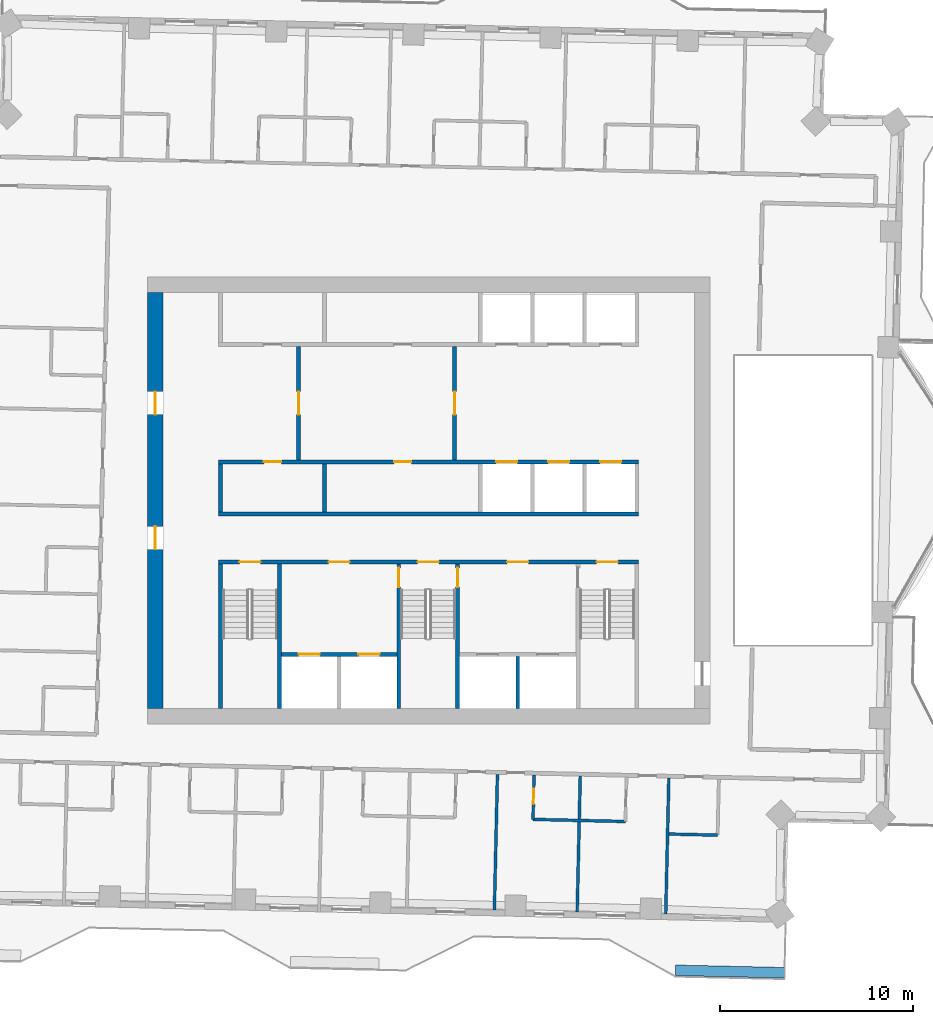
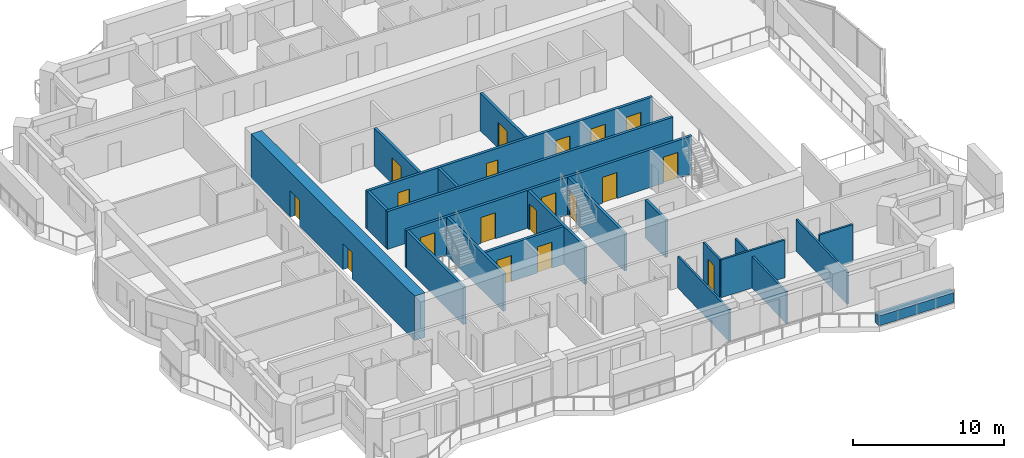
# One storey, part 8 of 16: 21 walls, 19 doors, 19 openings.
"""IFC4 building model written with IfcOpenShell, lengths in metres."""

from ifc_helpers import new_model, si_unit, direction, frame, frame_2d, origin, place, context, subcontext, project, spatial, rectangle, extrude, material, layer, layer_set, type_object, element, fill, save


model = new_model("IFC4")

# Units and contexts
model_context = context("Model", 3, precision=1e-05, world=origin(), true_north=direction((0.0, 1.0)))
body_context = subcontext(model_context, "Body", "Model", "MODEL_VIEW")
ifc_project = project(units=[si_unit("LENGTHUNIT", "METRE"), si_unit("AREAUNIT", "SQUARE_METRE"), si_unit("VOLUMEUNIT", "CUBIC_METRE"), si_unit("PLANEANGLEUNIT", "RADIAN"), si_unit("MASSUNIT", "GRAM", prefix="KILO")], contexts=[model_context])

# Site, building, storey
site_placement = place(None, origin())
site = spatial("IfcSite", under=ifc_project, at=site_placement, CompositionType="ELEMENT")
building_placement = place(site_placement, origin())
building = spatial("IfcBuilding", under=site, at=building_placement, Name="Mangrove Gate Tower", CompositionType="ELEMENT")
storey_placement = place(building_placement, frame((0.0, 0.0, 215.89990234375)))
storey = spatial("IfcBuildingStorey", under=building, at=storey_placement, Name="L55", CompositionType="ELEMENT", Elevation=215.89990234375)

# Wall, opening, door
ifc_material_1 = material(Name="Concrete C32/40", Category="concrete")
ifc_layer_1 = layer(ifc_material_1, 0.199951171875)
ifc_layer_set_1 = layer_set([ifc_layer_1], Name="Core lobby wall 200 C32/40")
wall_type_1 = type_object("IfcWallType", Name="Core lobby wall 200 C32/40", PredefinedType="STANDARD", material=ifc_layer_set_1)
wall_1_placement = place(storey_placement, frame((-6.75, 2.10009765625, 0.0), z_axis=(0.0, 0.0, 1.0), x_axis=(0.0, 1.0, 0.0)))
wall_1 = element("IfcWall", 1, at=wall_1_placement, inside=storey, type_object=wall_type_1, Name="WALL-L55-CORE-31", PredefinedType="STANDARD", context=body_context, shape_type="SweptSolid", body=[
    extrude(rectangle(XDim=5.89990234375, YDim=0.199951171875, at=frame_2d((2.949951171875, 0.0))), origin(), (0.0, 0.0, 1.0), 3.050048828125),
])
opening_1_placement = place(wall_1_placement, frame((2.35009765625, 0.0, 0.0)))
opening_1 = element("IfcOpeningElement", 2, at=opening_1_placement, cuts=wall_1, Name="Opening FL12", PredefinedType="OPENING", context=body_context, shape_type="SweptSolid", body=[
    extrude(rectangle(XDim=1.199951171875, YDim=2.10009765625, at=frame_2d((0.60009765625, 1.050048828125))), frame((0.0, 0.10986328125, 0.0), z_axis=(0.0, -1.0, 0.0), x_axis=(1.0, 0.0, 0.0)), (0.0, 0.0, 1.0), 0.219970703125),
])
ifc_material_2 = material(Name="Fire-rated steel door set", Category="steel")
door_type_1 = type_object("IfcDoorType", Name="Lobby door FD60 1200x2100", OperationType="SINGLE_SWING_LEFT", PredefinedType="DOOR", material=ifc_material_2)
door_1_placement = place(opening_1_placement, origin())
door_1 = element("IfcDoor", 3, at=door_1_placement, inside=storey, type_object=door_type_1, Name="Lobby door lift lobby partition", OperationType="SINGLE_SWING_LEFT", OverallHeight=2.10009765625, OverallWidth=1.199951171875, PredefinedType="DOOR", context=body_context, shape_type="SweptSolid", body=[
    extrude(rectangle(XDim=1.199951171875, YDim=2.10009765625, at=frame_2d((0.60009765625, 1.050048828125))), frame((0.0, 0.02490234375, 0.0), z_axis=(0.0, -1.0, 0.0), x_axis=(1.0, 0.0, 0.0)), (0.0, 0.0, 1.0), 0.050048828125),
])
fill(opening_1, door_1)

wall_2_placement = place(storey_placement, frame((1.35009765625, 2.10009765625, 0.0), z_axis=(0.0, 0.0, 1.0), x_axis=(0.0, 1.0, 0.0)))
wall_2 = element("IfcWall", 4, at=wall_2_placement, inside=storey, type_object=wall_type_1, Name="WALL-L55-CORE-32", PredefinedType="STANDARD", context=body_context, shape_type="SweptSolid", body=[
    extrude(rectangle(XDim=5.89990234375, YDim=0.199951171875, at=frame_2d((2.949951171875, 0.0))), origin(), (0.0, 0.0, 1.0), 3.050048828125),
])
opening_2_placement = place(wall_2_placement, frame((2.35009765625, 0.0, 0.0)))
opening_2 = element("IfcOpeningElement", 5, at=opening_2_placement, cuts=wall_2, Name="Opening FL12", PredefinedType="OPENING", context=body_context, shape_type="SweptSolid", body=[
    extrude(rectangle(XDim=1.199951171875, YDim=2.10009765625, at=frame_2d((0.60009765625, 1.050048828125))), frame((0.0, 0.10986328125, 0.0), z_axis=(0.0, -1.0, 0.0), x_axis=(1.0, 0.0, 0.0)), (0.0, 0.0, 1.0), 0.219970703125),
])
door_2_placement = place(opening_2_placement, origin())
door_2 = element("IfcDoor", 6, at=door_2_placement, inside=storey, type_object=door_type_1, Name="Lobby door lift lobby partition", OperationType="SINGLE_SWING_LEFT", OverallHeight=2.10009765625, OverallWidth=1.199951171875, PredefinedType="DOOR", context=body_context, shape_type="SweptSolid", body=[
    extrude(rectangle(XDim=1.199951171875, YDim=2.10009765625, at=frame_2d((0.60009765625, 1.050048828125))), frame((0.0, 0.02490234375, 0.0), z_axis=(0.0, -1.0, 0.0), x_axis=(1.0, 0.0, 0.0)), (0.0, 0.0, 1.0), 0.050048828125),
])
fill(opening_2, door_2)

# Walls
ifc_material_3 = material(Name="Concrete C32/40", Category="concrete")
ifc_layer_2 = layer(ifc_material_3, 0.199951171875)
ifc_layer_set_2 = layer_set([ifc_layer_2], Name="Core room wall 200 C32/40")
wall_type_2 = type_object("IfcWallType", Name="Core room wall 200 C32/40", PredefinedType="STANDARD", material=ifc_layer_set_2)
for number, where, z_axis, x_axis, name in (
    (7, (-10.800048828125, -0.60009765625, 0.0), (0.0, 0.0, 1.0), (0.0, 1.0, 0.0), "WALL-L55-CORE-19"),
    (8, (-5.39990234375, -0.60009765625, 0.0), (0.0, 0.0, 1.0), (0.0, 1.0, 0.0), "WALL-L55-CORE-20"),
):
    element("IfcWall", number, at=place(storey_placement, frame(where, z_axis=z_axis, x_axis=x_axis)), inside=storey, type_object=wall_type_2, Name=name, PredefinedType="STANDARD", context=body_context, shape_type="SweptSolid", body=[
        extrude(rectangle(XDim=2.5, YDim=0.199951171875, at=frame_2d((1.25, 0.0))), origin(), (0.0, 0.0, 1.0), 3.050048828125),
    ])
ifc_material_4 = material(Name="Concrete C60/75", Category="concrete")
ifc_layer_3 = layer(ifc_material_4, 0.199951171875)
ifc_layer_set_3 = layer_set([ifc_layer_3], Name="Core shaft wall 200 C60/75")
wall_type_3 = type_object("IfcWallType", Name="Core shaft wall 200 C60/75", PredefinedType="SHEAR", material=ifc_layer_set_3)
wall_3_placement = place(storey_placement, frame((-10.89990234375, -0.699951171875, 0.0), z_axis=(0.0, 0.0, 1.0), x_axis=(1.0, 0.0, 0.0)))
element("IfcWall", 9, at=wall_3_placement, inside=storey, type_object=wall_type_3, Name="WALL-L55-CORE-6", PredefinedType="SHEAR", context=body_context, shape_type="SweptSolid", body=[
    extrude(rectangle(XDim=21.7998046875, YDim=0.199951171875, at=frame_2d((10.89990234375, 0.0))), origin(), (0.0, 0.0, 1.0), 3.050048828125),
])

# Wall, openings, doors
wall_4_placement = place(storey_placement, frame((-10.89990234375, 2.0, 0.0), z_axis=(0.0, 0.0, 1.0), x_axis=(1.0, 0.0, 0.0)))
wall_4 = element("IfcWall", 10, at=wall_4_placement, inside=storey, type_object=wall_type_3, Name="WALL-L55-CORE-7", PredefinedType="SHEAR", context=body_context, shape_type="SweptSolid", body=[
    extrude(rectangle(XDim=21.7998046875, YDim=0.199951171875, at=frame_2d((10.89990234375, 0.0))), origin(), (0.0, 0.0, 1.0), 3.050048828125),
])
opening_3_placement = place(wall_4_placement, frame((14.39990234375, 0.0, 0.0)))
opening_3 = element("IfcOpeningElement", 11, at=opening_3_placement, cuts=wall_4, Name="Opening LD", PredefinedType="OPENING", context=body_context, shape_type="SweptSolid", body=[
    extrude(rectangle(XDim=1.10009765625, YDim=2.10009765625, at=frame_2d((0.550048828125, 1.050048828125))), frame((0.0, 0.10986328125, 0.0), z_axis=(0.0, -1.0, 0.0), x_axis=(1.0, 0.0, 0.0)), (0.0, 0.0, 1.0), 0.219970703125),
])
opening_4_placement = place(wall_4_placement, frame((17.10009765625, 0.0, 0.0)))
opening_4 = element("IfcOpeningElement", 12, at=opening_4_placement, cuts=wall_4, Name="Opening LD", PredefinedType="OPENING", context=body_context, shape_type="SweptSolid", body=[
    extrude(rectangle(XDim=1.10009765625, YDim=2.10009765625, at=frame_2d((0.550048828125, 1.050048828125))), frame((0.0, 0.10986328125, 0.0), z_axis=(0.0, -1.0, 0.0), x_axis=(1.0, 0.0, 0.0)), (0.0, 0.0, 1.0), 0.219970703125),
])
opening_5_placement = place(wall_4_placement, frame((19.800048828125, 0.0, 0.0)))
opening_5 = element("IfcOpeningElement", 13, at=opening_5_placement, cuts=wall_4, Name="Opening LD", PredefinedType="OPENING", context=body_context, shape_type="SweptSolid", body=[
    extrude(rectangle(XDim=1.10009765625, YDim=2.10009765625, at=frame_2d((0.550048828125, 1.050048828125))), frame((0.0, 0.10986328125, 0.0), z_axis=(0.0, -1.0, 0.0), x_axis=(1.0, 0.0, 0.0)), (0.0, 0.0, 1.0), 0.219970703125),
])
opening_6_placement = place(wall_4_placement, frame((2.35009765625, 0.0, 0.0)))
opening_6 = element("IfcOpeningElement", 14, at=opening_6_placement, cuts=wall_4, Name="Opening RD", PredefinedType="OPENING", context=body_context, shape_type="SweptSolid", body=[
    extrude(rectangle(XDim=0.89990234375, YDim=2.10009765625, at=frame_2d((0.449951171875, 1.050048828125))), frame((0.0, 0.10986328125, 0.0), z_axis=(0.0, -1.0, 0.0), x_axis=(1.0, 0.0, 0.0)), (0.0, 0.0, 1.0), 0.219970703125),
])
opening_7_placement = place(wall_4_placement, frame((9.10009765625, 0.0, 0.0)))
opening_7 = element("IfcOpeningElement", 15, at=opening_7_placement, cuts=wall_4, Name="Opening RD", PredefinedType="OPENING", context=body_context, shape_type="SweptSolid", body=[
    extrude(rectangle(XDim=0.89990234375, YDim=2.10009765625, at=frame_2d((0.449951171875, 1.050048828125))), frame((0.0, 0.10986328125, 0.0), z_axis=(0.0, -1.0, 0.0), x_axis=(1.0, 0.0, 0.0)), (0.0, 0.0, 1.0), 0.219970703125),
])
ifc_material_5 = material(Name="Stainless steel 316", Category="steel")
door_type_2 = type_object("IfcDoorType", Name="Lift landing door 1100x2100", OperationType="SLIDING_TO_LEFT", PredefinedType="DOOR", material=ifc_material_5)
door_3_placement = place(opening_3_placement, origin())
door_3 = element("IfcDoor", 16, at=door_3_placement, inside=storey, type_object=door_type_2, Name="Landing door LD M01", OperationType="SLIDING_TO_LEFT", OverallHeight=2.10009765625, OverallWidth=1.10009765625, PredefinedType="DOOR", context=body_context, shape_type="SweptSolid", body=[
    extrude(rectangle(XDim=1.10009765625, YDim=2.10009765625, at=frame_2d((0.550048828125, 1.050048828125))), frame((0.0, 0.02490234375, 0.0), z_axis=(0.0, -1.0, 0.0), x_axis=(1.0, 0.0, 0.0)), (0.0, 0.0, 1.0), 0.050048828125),
])
fill(opening_3, door_3)
door_4_placement = place(opening_4_placement, origin())
door_4 = element("IfcDoor", 17, at=door_4_placement, inside=storey, type_object=door_type_2, Name="Landing door LD M02", OperationType="SLIDING_TO_LEFT", OverallHeight=2.10009765625, OverallWidth=1.10009765625, PredefinedType="DOOR", context=body_context, shape_type="SweptSolid", body=[
    extrude(rectangle(XDim=1.10009765625, YDim=2.10009765625, at=frame_2d((0.550048828125, 1.050048828125))), frame((0.0, 0.02490234375, 0.0), z_axis=(0.0, -1.0, 0.0), x_axis=(1.0, 0.0, 0.0)), (0.0, 0.0, 1.0), 0.050048828125),
])
fill(opening_4, door_4)
door_5_placement = place(opening_5_placement, origin())
door_5 = element("IfcDoor", 18, at=door_5_placement, inside=storey, type_object=door_type_2, Name="Landing door LD M03", OperationType="SLIDING_TO_LEFT", OverallHeight=2.10009765625, OverallWidth=1.10009765625, PredefinedType="DOOR", context=body_context, shape_type="SweptSolid", body=[
    extrude(rectangle(XDim=1.10009765625, YDim=2.10009765625, at=frame_2d((0.550048828125, 1.050048828125))), frame((0.0, 0.02490234375, 0.0), z_axis=(0.0, -1.0, 0.0), x_axis=(1.0, 0.0, 0.0)), (0.0, 0.0, 1.0), 0.050048828125),
])
fill(opening_5, door_5)
ifc_material_6 = material(Name="Fire-rated steel door set", Category="steel")
door_type_3 = type_object("IfcDoorType", Name="Riser door FD30S 900x2100", OperationType="SINGLE_SWING_LEFT", PredefinedType="DOOR", material=ifc_material_6)
door_6_placement = place(opening_6_placement, origin())
door_6 = element("IfcDoor", 19, at=door_6_placement, inside=storey, type_object=door_type_3, Name="Riser door Switch room", OperationType="SINGLE_SWING_LEFT", OverallHeight=2.10009765625, OverallWidth=0.89990234375, PredefinedType="DOOR", context=body_context, shape_type="SweptSolid", body=[
    extrude(rectangle(XDim=0.89990234375, YDim=2.10009765625, at=frame_2d((0.449951171875, 1.050048828125))), frame((0.0, 0.02490234375, 0.0), z_axis=(0.0, -1.0, 0.0), x_axis=(1.0, 0.0, 0.0)), (0.0, 0.0, 1.0), 0.050048828125),
])
fill(opening_6, door_6)
door_7_placement = place(opening_7_placement, origin())
door_7 = element("IfcDoor", 20, at=door_7_placement, inside=storey, type_object=door_type_3, Name="Riser door Comms room", OperationType="SINGLE_SWING_LEFT", OverallHeight=2.10009765625, OverallWidth=0.89990234375, PredefinedType="DOOR", context=body_context, shape_type="SweptSolid", body=[
    extrude(rectangle(XDim=0.89990234375, YDim=2.10009765625, at=frame_2d((0.449951171875, 1.050048828125))), frame((0.0, 0.02490234375, 0.0), z_axis=(0.0, -1.0, 0.0), x_axis=(1.0, 0.0, 0.0)), (0.0, 0.0, 1.0), 0.050048828125),
])
fill(opening_7, door_7)

wall_5_placement = place(storey_placement, frame((-7.64990234375, -8.0, 0.0), z_axis=(0.0, 0.0, 1.0), x_axis=(1.0, 0.0, 0.0)))
wall_5 = element("IfcWall", 21, at=wall_5_placement, inside=storey, type_object=wall_type_3, Name="WALL-L55-CORE-15", PredefinedType="SHEAR", context=body_context, shape_type="SweptSolid", body=[
    extrude(rectangle(XDim=6.0, YDim=0.199951171875, at=frame_2d((3.0, 0.0))), origin(), (0.0, 0.0, 1.0), 3.050048828125),
])
opening_8_placement = place(wall_5_placement, frame((0.89990234375, 0.0, 0.0)))
opening_8 = element("IfcOpeningElement", 22, at=opening_8_placement, cuts=wall_5, Name="Opening LD", PredefinedType="OPENING", context=body_context, shape_type="SweptSolid", body=[
    extrude(rectangle(XDim=1.10009765625, YDim=2.10009765625, at=frame_2d((0.550048828125, 1.050048828125))), frame((0.0, 0.10986328125, 0.0), z_axis=(0.0, -1.0, 0.0), x_axis=(1.0, 0.0, 0.0)), (0.0, 0.0, 1.0), 0.219970703125),
])
opening_9_placement = place(wall_5_placement, frame((4.0, 0.0, 0.0)))
opening_9 = element("IfcOpeningElement", 23, at=opening_9_placement, cuts=wall_5, Name="Opening LD", PredefinedType="OPENING", context=body_context, shape_type="SweptSolid", body=[
    extrude(rectangle(XDim=1.10009765625, YDim=2.10009765625, at=frame_2d((0.550048828125, 1.050048828125))), frame((0.0, 0.10986328125, 0.0), z_axis=(0.0, -1.0, 0.0), x_axis=(1.0, 0.0, 0.0)), (0.0, 0.0, 1.0), 0.219970703125),
])
door_8_placement = place(opening_8_placement, origin())
door_8 = element("IfcDoor", 24, at=door_8_placement, inside=storey, type_object=door_type_2, Name="Landing door LD SVL1", OperationType="SLIDING_TO_LEFT", OverallHeight=2.10009765625, OverallWidth=1.10009765625, PredefinedType="DOOR", context=body_context, shape_type="SweptSolid", body=[
    extrude(rectangle(XDim=1.10009765625, YDim=2.10009765625, at=frame_2d((0.550048828125, 1.050048828125))), frame((0.0, 0.02490234375, 0.0), z_axis=(0.0, -1.0, 0.0), x_axis=(1.0, 0.0, 0.0)), (0.0, 0.0, 1.0), 0.050048828125),
])
fill(opening_8, door_8)
door_9_placement = place(opening_9_placement, origin())
door_9 = element("IfcDoor", 25, at=door_9_placement, inside=storey, type_object=door_type_2, Name="Landing door LD SVL2", OperationType="SLIDING_TO_LEFT", OverallHeight=2.10009765625, OverallWidth=1.10009765625, PredefinedType="DOOR", context=body_context, shape_type="SweptSolid", body=[
    extrude(rectangle(XDim=1.10009765625, YDim=2.10009765625, at=frame_2d((0.550048828125, 1.050048828125))), frame((0.0, 0.02490234375, 0.0), z_axis=(0.0, -1.0, 0.0), x_axis=(1.0, 0.0, 0.0)), (0.0, 0.0, 1.0), 0.050048828125),
])
fill(opening_9, door_9)

# Wall
wall_6_placement = place(storey_placement, frame((4.625, -10.800048828125, 0.0), z_axis=(0.0, 0.0, 1.0), x_axis=(0.0, 1.0, 0.0)))
element("IfcWall", 26, at=wall_6_placement, inside=storey, type_object=wall_type_3, Name="WALL-L55-CORE-18", PredefinedType="SHEAR", context=body_context, shape_type="SweptSolid", body=[
    extrude(rectangle(XDim=2.699951171875, YDim=0.199951171875, at=frame_2d((1.35009765625, 0.0))), origin(), (0.0, 0.0, 1.0), 3.050048828125),
])

# Wall, openings, doors
ifc_material_7 = material(Name="Concrete C60/75", Category="concrete")
ifc_layer_4 = layer(ifc_material_7, 0.199951171875)
ifc_layer_set_4 = layer_set([ifc_layer_4], Name="Core stair wall 200 C60/75")
wall_type_4 = type_object("IfcWallType", Name="Core stair wall 200 C60/75", PredefinedType="SHEAR", material=ifc_layer_set_4)
wall_7_placement = place(storey_placement, frame((-10.89990234375, -3.199951171875, 0.0), z_axis=(0.0, 0.0, 1.0), x_axis=(1.0, 0.0, 0.0)))
wall_7 = element("IfcWall", 27, at=wall_7_placement, inside=storey, type_object=wall_type_4, Name="WALL-L55-CORE-5", PredefinedType="SHEAR", context=body_context, shape_type="SweptSolid", body=[
    extrude(rectangle(XDim=21.7998046875, YDim=0.199951171875, at=frame_2d((10.89990234375, 0.0))), origin(), (0.0, 0.0, 1.0), 3.050048828125),
])
opening_10_placement = place(wall_7_placement, frame((1.074951171875, 0.0, 0.0)))
opening_10 = element("IfcOpeningElement", 28, at=opening_10_placement, cuts=wall_7, Name="Opening STD11", PredefinedType="OPENING", context=body_context, shape_type="SweptSolid", body=[
    extrude(rectangle(XDim=1.10009765625, YDim=2.10009765625, at=frame_2d((0.550048828125, 1.050048828125))), frame((0.0, 0.10986328125, 0.0), z_axis=(0.0, -1.0, 0.0), x_axis=(1.0, 0.0, 0.0)), (0.0, 0.0, 1.0), 0.219970703125),
])
opening_11_placement = place(wall_7_placement, frame((10.324951171875, 0.0, 0.0)))
opening_11 = element("IfcOpeningElement", 29, at=opening_11_placement, cuts=wall_7, Name="Opening STD11", PredefinedType="OPENING", context=body_context, shape_type="SweptSolid", body=[
    extrude(rectangle(XDim=1.10009765625, YDim=2.10009765625, at=frame_2d((0.550048828125, 1.050048828125))), frame((0.0, 0.10986328125, 0.0), z_axis=(0.0, -1.0, 0.0), x_axis=(1.0, 0.0, 0.0)), (0.0, 0.0, 1.0), 0.219970703125),
])
opening_12_placement = place(wall_7_placement, frame((19.625, 0.0, 0.0)))
opening_12 = element("IfcOpeningElement", 30, at=opening_12_placement, cuts=wall_7, Name="Opening STD11", PredefinedType="OPENING", context=body_context, shape_type="SweptSolid", body=[
    extrude(rectangle(XDim=1.10009765625, YDim=2.10009765625, at=frame_2d((0.550048828125, 1.050048828125))), frame((0.0, 0.10986328125, 0.0), z_axis=(0.0, -1.0, 0.0), x_axis=(1.0, 0.0, 0.0)), (0.0, 0.0, 1.0), 0.219970703125),
])
opening_13_placement = place(wall_7_placement, frame((5.699951171875, 0.0, 0.0)))
opening_13 = element("IfcOpeningElement", 31, at=opening_13_placement, cuts=wall_7, Name="Opening FL", PredefinedType="OPENING", context=body_context, shape_type="SweptSolid", body=[
    extrude(rectangle(XDim=1.10009765625, YDim=2.10009765625, at=frame_2d((0.550048828125, 1.050048828125))), frame((0.0, 0.10986328125, 0.0), z_axis=(0.0, -1.0, 0.0), x_axis=(1.0, 0.0, 0.0)), (0.0, 0.0, 1.0), 0.219970703125),
])
opening_14_placement = place(wall_7_placement, frame((14.97509765625, 0.0, 0.0)))
opening_14 = element("IfcOpeningElement", 32, at=opening_14_placement, cuts=wall_7, Name="Opening FL", PredefinedType="OPENING", context=body_context, shape_type="SweptSolid", body=[
    extrude(rectangle(XDim=1.10009765625, YDim=2.10009765625, at=frame_2d((0.550048828125, 1.050048828125))), frame((0.0, 0.10986328125, 0.0), z_axis=(0.0, -1.0, 0.0), x_axis=(1.0, 0.0, 0.0)), (0.0, 0.0, 1.0), 0.219970703125),
])
ifc_material_8 = material(Name="Fire-rated steel door set", Category="steel")
door_type_4 = type_object("IfcDoorType", Name="Lobby door FD60 1100x2100", OperationType="SINGLE_SWING_LEFT", PredefinedType="DOOR", material=ifc_material_8)
door_10_placement = place(opening_13_placement, origin())
door_10 = element("IfcDoor", 33, at=door_10_placement, inside=storey, type_object=door_type_4, Name="Lobby door service lobby", OperationType="SINGLE_SWING_LEFT", OverallHeight=2.10009765625, OverallWidth=1.10009765625, PredefinedType="DOOR", context=body_context, shape_type="SweptSolid", body=[
    extrude(rectangle(XDim=1.10009765625, YDim=2.10009765625, at=frame_2d((0.550048828125, 1.050048828125))), frame((0.0, 0.02490234375, 0.0), z_axis=(0.0, -1.0, 0.0), x_axis=(1.0, 0.0, 0.0)), (0.0, 0.0, 1.0), 0.050048828125),
])
fill(opening_13, door_10)
door_11_placement = place(opening_14_placement, origin())
door_11 = element("IfcDoor", 34, at=door_11_placement, inside=storey, type_object=door_type_4, Name="Lobby door fire-fighting lobby", OperationType="SINGLE_SWING_LEFT", OverallHeight=2.10009765625, OverallWidth=1.10009765625, PredefinedType="DOOR", context=body_context, shape_type="SweptSolid", body=[
    extrude(rectangle(XDim=1.10009765625, YDim=2.10009765625, at=frame_2d((0.550048828125, 1.050048828125))), frame((0.0, 0.02490234375, 0.0), z_axis=(0.0, -1.0, 0.0), x_axis=(1.0, 0.0, 0.0)), (0.0, 0.0, 1.0), 0.050048828125),
])
fill(opening_14, door_11)
ifc_material_9 = material(Name="Fire-rated steel door set", Category="steel")
door_type_5 = type_object("IfcDoorType", Name="Stair door FD60 1100x2100", OperationType="SINGLE_SWING_RIGHT", PredefinedType="DOOR", material=ifc_material_9)
door_12_placement = place(opening_10_placement, origin())
door_12 = element("IfcDoor", 35, at=door_12_placement, inside=storey, type_object=door_type_5, Name="Stair door Stair 1", OperationType="SINGLE_SWING_RIGHT", OverallHeight=2.10009765625, OverallWidth=1.10009765625, PredefinedType="DOOR", context=body_context, shape_type="SweptSolid", body=[
    extrude(rectangle(XDim=1.10009765625, YDim=2.10009765625, at=frame_2d((0.550048828125, 1.050048828125))), frame((0.0, 0.02490234375, 0.0), z_axis=(0.0, -1.0, 0.0), x_axis=(1.0, 0.0, 0.0)), (0.0, 0.0, 1.0), 0.050048828125),
])
fill(opening_10, door_12)
door_13_placement = place(opening_11_placement, origin())
door_13 = element("IfcDoor", 36, at=door_13_placement, inside=storey, type_object=door_type_5, Name="Stair door Stair 2", OperationType="SINGLE_SWING_RIGHT", OverallHeight=2.10009765625, OverallWidth=1.10009765625, PredefinedType="DOOR", context=body_context, shape_type="SweptSolid", body=[
    extrude(rectangle(XDim=1.10009765625, YDim=2.10009765625, at=frame_2d((0.550048828125, 1.050048828125))), frame((0.0, 0.02490234375, 0.0), z_axis=(0.0, -1.0, 0.0), x_axis=(1.0, 0.0, 0.0)), (0.0, 0.0, 1.0), 0.050048828125),
])
fill(opening_11, door_13)
door_14_placement = place(opening_12_placement, origin())
door_14 = element("IfcDoor", 37, at=door_14_placement, inside=storey, type_object=door_type_5, Name="Stair door Stair 3", OperationType="SINGLE_SWING_RIGHT", OverallHeight=2.10009765625, OverallWidth=1.10009765625, PredefinedType="DOOR", context=body_context, shape_type="SweptSolid", body=[
    extrude(rectangle(XDim=1.10009765625, YDim=2.10009765625, at=frame_2d((0.550048828125, 1.050048828125))), frame((0.0, 0.02490234375, 0.0), z_axis=(0.0, -1.0, 0.0), x_axis=(1.0, 0.0, 0.0)), (0.0, 0.0, 1.0), 0.050048828125),
])
fill(opening_12, door_14)

# Walls
for number, where, z_axis, x_axis, name in (
    (38, (-10.800048828125, -10.800048828125, 0.0), (0.0, 0.0, 1.0), (0.0, 1.0, 0.0), "WALL-L55-CORE-9"),
    (39, (-7.75, -10.800048828125, 0.0), (0.0, 0.0, 1.0), (0.0, 1.0, 0.0), "WALL-L55-CORE-10"),
):
    element("IfcWall", number, at=place(storey_placement, frame(where, z_axis=z_axis, x_axis=x_axis)), inside=storey, type_object=wall_type_4, Name=name, PredefinedType="SHEAR", context=body_context, shape_type="SweptSolid", body=[
        extrude(rectangle(XDim=7.5, YDim=0.199951171875, at=frame_2d((3.75, 0.0))), origin(), (0.0, 0.0, 1.0), 3.050048828125),
    ])

# Wall, opening, door
wall_8_placement = place(storey_placement, frame((-1.550048828125, -10.800048828125, 0.0), z_axis=(0.0, 0.0, 1.0), x_axis=(0.0, 1.0, 0.0)))
wall_8 = element("IfcWall", 40, at=wall_8_placement, inside=storey, type_object=wall_type_4, Name="WALL-L55-CORE-11", PredefinedType="SHEAR", context=body_context, shape_type="SweptSolid", body=[
    extrude(rectangle(XDim=7.5, YDim=0.199951171875, at=frame_2d((3.75, 0.0))), origin(), (0.0, 0.0, 1.0), 3.050048828125),
])
opening_15_placement = place(wall_8_placement, frame((6.300048828125, 0.0, 0.0)))
opening_15 = element("IfcOpeningElement", 41, at=opening_15_placement, cuts=wall_8, Name="Opening STD10", PredefinedType="OPENING", context=body_context, shape_type="SweptSolid", body=[
    extrude(rectangle(XDim=1.0, YDim=2.10009765625, at=frame_2d((0.5, 1.050048828125))), frame((0.0, 0.10986328125, 0.0), z_axis=(0.0, -1.0, 0.0), x_axis=(1.0, 0.0, 0.0)), (0.0, 0.0, 1.0), 0.219970703125),
])
ifc_material_10 = material(Name="Fire-rated steel door set", Category="steel")
door_type_6 = type_object("IfcDoorType", Name="Stair door FD60 1000x2100", OperationType="SINGLE_SWING_RIGHT", PredefinedType="DOOR", material=ifc_material_10)
door_15_placement = place(opening_15_placement, origin())
door_15 = element("IfcDoor", 42, at=door_15_placement, inside=storey, type_object=door_type_6, Name="Stair door Stair 2 from service lobby", OperationType="SINGLE_SWING_RIGHT", OverallHeight=2.10009765625, OverallWidth=1.0, PredefinedType="DOOR", context=body_context, shape_type="SweptSolid", body=[
    extrude(rectangle(XDim=1.0, YDim=2.10009765625, at=frame_2d((0.5, 1.050048828125))), frame((0.0, 0.02490234375, 0.0), z_axis=(0.0, -1.0, 0.0), x_axis=(1.0, 0.0, 0.0)), (0.0, 0.0, 1.0), 0.050048828125),
])
fill(opening_15, door_15)

wall_9_placement = place(storey_placement, frame((1.5, -10.800048828125, 0.0), z_axis=(0.0, 0.0, 1.0), x_axis=(0.0, 1.0, 0.0)))
wall_9 = element("IfcWall", 43, at=wall_9_placement, inside=storey, type_object=wall_type_4, Name="WALL-L55-CORE-12", PredefinedType="SHEAR", context=body_context, shape_type="SweptSolid", body=[
    extrude(rectangle(XDim=7.5, YDim=0.199951171875, at=frame_2d((3.75, 0.0))), origin(), (0.0, 0.0, 1.0), 3.050048828125),
])
opening_16_placement = place(wall_9_placement, frame((6.300048828125, 0.0, 0.0)))
opening_16 = element("IfcOpeningElement", 44, at=opening_16_placement, cuts=wall_9, Name="Opening STD10", PredefinedType="OPENING", context=body_context, shape_type="SweptSolid", body=[
    extrude(rectangle(XDim=1.0, YDim=2.10009765625, at=frame_2d((0.5, 1.050048828125))), frame((0.0, 0.10986328125, 0.0), z_axis=(0.0, -1.0, 0.0), x_axis=(1.0, 0.0, 0.0)), (0.0, 0.0, 1.0), 0.219970703125),
])
door_16_placement = place(opening_16_placement, origin())
door_16 = element("IfcDoor", 45, at=door_16_placement, inside=storey, type_object=door_type_6, Name="Stair door Stair 2 from fire-fighting lobby", OperationType="SINGLE_SWING_RIGHT", OverallHeight=2.10009765625, OverallWidth=1.0, PredefinedType="DOOR", context=body_context, shape_type="SweptSolid", body=[
    extrude(rectangle(XDim=1.0, YDim=2.10009765625, at=frame_2d((0.5, 1.050048828125))), frame((0.0, 0.02490234375, 0.0), z_axis=(0.0, -1.0, 0.0), x_axis=(1.0, 0.0, 0.0)), (0.0, 0.0, 1.0), 0.050048828125),
])
fill(opening_16, door_16)

# Wall, openings, doors
ifc_material_11 = material(Name="Concrete C60/75", Category="concrete")
ifc_layer_5 = layer(ifc_material_11, 0.800048828125)
ifc_layer_set_5 = layer_set([ifc_layer_5], Name="Core wall 800 C60/75")
wall_type_5 = type_object("IfcWallType", Name="Core wall 800 C60/75", PredefinedType="SHEAR", material=ifc_layer_set_5)
wall_10_placement = place(storey_placement, frame((-14.199951171875, -10.800048828125, 0.0), z_axis=(0.0, 0.0, 1.0), x_axis=(0.0, 1.0, 0.0)))
wall_10 = element("IfcWall", 46, at=wall_10_placement, inside=storey, type_object=wall_type_5, Name="WALL-L55-CORE-3", PredefinedType="SHEAR", context=body_context, shape_type="SweptSolid", body=[
    extrude(rectangle(XDim=21.60009765625, YDim=0.800048828125, at=frame_2d((10.800048828125, 0.0))), origin(), (0.0, 0.0, 1.0), 3.60009765625),
])
opening_17_placement = place(wall_10_placement, frame((8.25, 0.0, 0.0)))
opening_17 = element("IfcOpeningElement", 47, at=opening_17_placement, cuts=wall_10, Name="Opening CD", PredefinedType="OPENING", context=body_context, shape_type="SweptSolid", body=[
    extrude(rectangle(XDim=1.199951171875, YDim=2.10009765625, at=frame_2d((0.60009765625, 1.050048828125))), frame((0.0, 0.409912109375, 0.0), z_axis=(0.0, -1.0, 0.0), x_axis=(1.0, 0.0, 0.0)), (0.0, 0.0, 1.0), 0.820068359375),
])
opening_18_placement = place(wall_10_placement, frame((15.25, 0.0, 0.0)))
opening_18 = element("IfcOpeningElement", 48, at=opening_18_placement, cuts=wall_10, Name="Opening CD", PredefinedType="OPENING", context=body_context, shape_type="SweptSolid", body=[
    extrude(rectangle(XDim=1.199951171875, YDim=2.10009765625, at=frame_2d((0.60009765625, 1.050048828125))), frame((0.0, 0.409912109375, 0.0), z_axis=(0.0, -1.0, 0.0), x_axis=(1.0, 0.0, 0.0)), (0.0, 0.0, 1.0), 0.820068359375),
])
ifc_material_12 = material(Name="Fire-rated steel door set", Category="steel")
door_type_7 = type_object("IfcDoorType", Name="Core ring door FD60 1200x2100", OperationType="DOUBLE_DOOR_SINGLE_SWING", PredefinedType="DOOR", material=ifc_material_12)
door_17_placement = place(opening_17_placement, origin())
door_17 = element("IfcDoor", 49, at=door_17_placement, inside=storey, type_object=door_type_7, Name="Core ring door W1", OperationType="DOUBLE_DOOR_SINGLE_SWING", OverallHeight=2.10009765625, OverallWidth=1.199951171875, PredefinedType="DOOR", context=body_context, shape_type="SweptSolid", body=[
    extrude(rectangle(XDim=1.199951171875, YDim=2.10009765625, at=frame_2d((0.60009765625, 1.050048828125))), frame((0.0, 0.02490234375, 0.0), z_axis=(0.0, -1.0, 0.0), x_axis=(1.0, 0.0, 0.0)), (0.0, 0.0, 1.0), 0.050048828125),
])
fill(opening_17, door_17)
door_18_placement = place(opening_18_placement, origin())
door_18 = element("IfcDoor", 50, at=door_18_placement, inside=storey, type_object=door_type_7, Name="Core ring door W2", OperationType="DOUBLE_DOOR_SINGLE_SWING", OverallHeight=2.10009765625, OverallWidth=1.199951171875, PredefinedType="DOOR", context=body_context, shape_type="SweptSolid", body=[
    extrude(rectangle(XDim=1.199951171875, YDim=2.10009765625, at=frame_2d((0.60009765625, 1.050048828125))), frame((0.0, 0.02490234375, 0.0), z_axis=(0.0, -1.0, 0.0), x_axis=(1.0, 0.0, 0.0)), (0.0, 0.0, 1.0), 0.050048828125),
])
fill(opening_18, door_18)

# Walls
ifc_material_13 = material(Name="Gypsum board on steel stud, EI 60", Category="steel")
ifc_layer_6 = layer(ifc_material_13, 0.14990234375)
ifc_layer_set_6 = layer_set([ifc_layer_6], Name="Party wall 150 EI 60")
wall_type_6 = type_object("IfcWallType", Name="Party wall 150 EI 60", PredefinedType="PARTITIONING", material=ifc_layer_set_6)
wall_11_placement = place(storey_placement, frame((3.410888671875, -21.27001953125, 0.0), z_axis=(0.0, 0.0, 1.0), x_axis=(0.022714326521, 0.999741996402, 0.0)))
element("IfcWall", 51, at=wall_11_placement, inside=storey, type_object=wall_type_6, Name="WALL-L55-006", PredefinedType="PARTITIONING", context=body_context, shape_type="SweptSolid", body=[
    extrude(rectangle(XDim=7.05078125, YDim=0.14990234375, at=frame_2d((3.525390625, 0.0))), origin(), (0.0, 0.0, 1.0), 2.550048828125),
])
wall_12_placement = place(storey_placement, frame((7.7099609375, -21.366943359375, 0.0), z_axis=(0.0, 0.0, 1.0), x_axis=(0.022718258661, 0.999741907056, 0.0)))
element("IfcWall", 52, at=wall_12_placement, inside=storey, type_object=wall_type_6, Name="WALL-L55-007", PredefinedType="PARTITIONING", context=body_context, shape_type="SweptSolid", body=[
    extrude(rectangle(XDim=7.049560546875, YDim=0.14990234375, at=frame_2d((3.52490234375, 0.0))), origin(), (0.0, 0.0, 1.0), 2.550048828125),
])
wall_13_placement = place(storey_placement, frame((12.30908203125, -21.471923828125, 0.0), z_axis=(0.0, 0.0, 1.0), x_axis=(0.022680503969, 0.999742764285, 0.0)))
element("IfcWall", 53, at=wall_13_placement, inside=storey, type_object=wall_type_6, Name="WALL-L55-008", PredefinedType="PARTITIONING", context=body_context, shape_type="SweptSolid", body=[
    extrude(rectangle(XDim=7.050537109375, YDim=0.14990234375, at=frame_2d((3.525390625, 0.0))), origin(), (0.0, 0.0, 1.0), 2.550048828125),
])
wall_14_placement = place(storey_placement, frame((12.47607421875, -17.323974609375, 0.0), z_axis=(0.0, 0.0, 1.0), x_axis=(0.999735102249, -0.023015762656, 0.0)))
element("IfcWall", 54, at=wall_14_placement, inside=storey, type_object=wall_type_6, Name="WALL-L55-009", PredefinedType="PARTITIONING", context=body_context, shape_type="SweptSolid", body=[
    extrude(rectangle(XDim=2.524658203125, YDim=0.14990234375, at=frame_2d((1.26220703125, 0.0))), origin(), (0.0, 0.0, 1.0), 3.050048828125),
])
wall_15_placement = place(storey_placement, frame((5.4169921875, -16.56396484375, 0.0), z_axis=(0.0, 0.0, 1.0), x_axis=(0.999741441463, -0.022738738327, 0.0)))
element("IfcWall", 55, at=wall_15_placement, inside=storey, type_object=wall_type_6, Name="WALL-L55-019", PredefinedType="PARTITIONING", context=body_context, shape_type="SweptSolid", body=[
    extrude(rectangle(XDim=4.79931640625, YDim=0.14990234375, at=frame_2d((2.399658203125, 0.0))), origin(), (0.0, 0.0, 1.0), 3.050048828125),
])

# Wall, opening, door
wall_16_placement = place(storey_placement, frame((5.4189453125, -16.56396484375, 0.0), z_axis=(0.0, 0.0, 1.0), x_axis=(0.022612884682, 0.999744296031, 0.0)))
wall_16 = element("IfcWall", 56, at=wall_16_placement, inside=storey, type_object=wall_type_6, Name="WALL-L55-020", PredefinedType="PARTITIONING", context=body_context, shape_type="SweptSolid", body=[
    extrude(rectangle(XDim=2.299560546875, YDim=0.14990234375, at=frame_2d((1.14990234375, 0.0))), origin(), (0.0, 0.0, 1.0), 3.050048828125),
])
opening_19_placement = place(wall_16_placement, frame((0.800048828125, 0.0, 0.0)))
opening_19 = element("IfcOpeningElement", 57, at=opening_19_placement, cuts=wall_16, Name="Opening ED", PredefinedType="OPENING", context=body_context, shape_type="SweptSolid", body=[
    extrude(rectangle(XDim=0.800048828125, YDim=2.10009765625, at=frame_2d((0.39990234375, 1.050048828125))), frame((0.0, 0.0849609375, 0.0), z_axis=(0.0, -1.0, 0.0), x_axis=(1.0, 0.0, 0.0)), (0.0, 0.0, 1.0), 0.169921875),
])
ifc_material_14 = material(Name="Timber door leaf", Category="wood")
door_type_8 = type_object("IfcDoorType", Name="En-suite door 800", OperationType="SINGLE_SWING_LEFT", PredefinedType="DOOR", material=ifc_material_14)
door_19_placement = place(opening_19_placement, origin())
door_19 = element("IfcDoor", 58, at=door_19_placement, inside=storey, type_object=door_type_8, Name="DOOR-L55-ENS-c206", OperationType="SINGLE_SWING_RIGHT", OverallHeight=2.10009765625, OverallWidth=0.800048828125, PredefinedType="DOOR", context=body_context, shape_type="SweptSolid", body=[
    extrude(rectangle(XDim=0.800048828125, YDim=2.10009765625, at=frame_2d((0.39990234375, 1.050048828125))), frame((0.0, 0.02490234375, 0.0), z_axis=(0.0, -1.0, 0.0), x_axis=(1.0, 0.0, 0.0)), (0.0, 0.0, 1.0), 0.050048828125),
])
fill(opening_19, door_19)

# Wall
ifc_material_15 = material(Name="Concrete C32/40", Category="concrete")
ifc_layer_7 = layer(ifc_material_15, 0.199951171875, Name="Planter trough wall")
ifc_material_16 = material(Name="Bituminous waterproofing membrane")
ifc_layer_8 = layer(ifc_material_16, 0.0048828125, Name="Waterproofing")
ifc_material_17 = material(Name="Drainage board and gravel")
ifc_layer_9 = layer(ifc_material_17, 0.044921875, Name="Drainage layer")
ifc_material_18 = material(Name="Planting soil")
ifc_layer_10 = layer(ifc_material_18, 0.300048828125, Name="Growing medium")
ifc_layer_set_7 = layer_set([ifc_layer_7, ifc_layer_8, ifc_layer_9, ifc_layer_10], Name="Planter wall 550 C32/40")
wall_type_7 = type_object("IfcWallType", Name="Planter wall 550 C32/40", PredefinedType="USERDEFINED", material=ifc_layer_set_7)
wall_17_placement = place(storey_placement, frame((12.81201171875, -24.39892578125, 0.0), z_axis=(0.0, 0.0, 1.0), x_axis=(0.999744671896, -0.022596261096, 0.0)))
element("IfcWall", 59, at=wall_17_placement, inside=storey, type_object=wall_type_7, Name="PLANTER L55 S1.1", ObjectType="PLANTER", PredefinedType="USERDEFINED", context=body_context, shape_type="SweptSolid", body=[
    extrude(rectangle(XDim=5.67236328125, YDim=0.550048828125, at=frame_2d((2.836181640625, 0.0))), origin(), (0.0, 0.0, 1.0), 0.800048828125),
])

save(model, "model.ifc")
